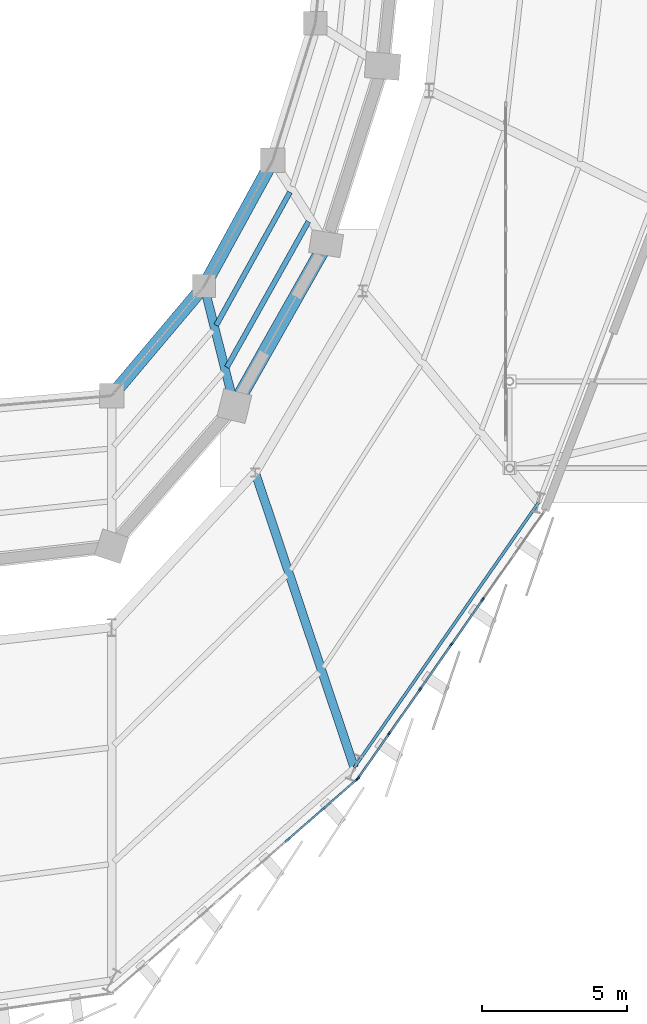
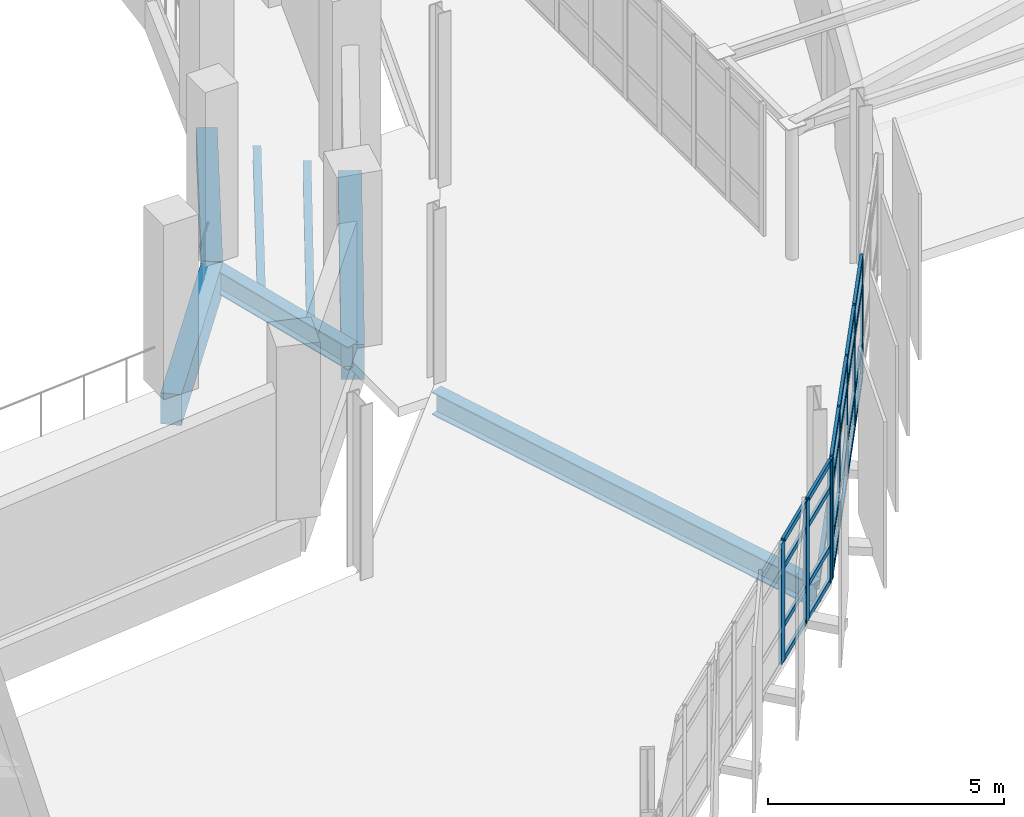
# One storey, part 66 of 125: 32 members, 8 beams, 2 elements without a shape of their own.
"""IFC4 building model written with IfcOpenShell, lengths in metres."""

from ifc_helpers import new_model, si_unit, direction, frame, origin, origin_2d, place, context, subcontext, project, spatial, rectangle, hollow_rectangle, i_section, extrude, material, layer, layer_set, material_profile, profile_set, type_object, element, aggregate, save


model = new_model("IFC4")

# Units and contexts
model_context = context("Model", 3, precision=1e-05, world=origin(), true_north=direction((0.0, 1.0)))
body_context = subcontext(model_context, "Body", "Model", "MODEL_VIEW")
ifc_project = project(units=[si_unit("LENGTHUNIT", "METRE"), si_unit("AREAUNIT", "SQUARE_METRE"), si_unit("VOLUMEUNIT", "CUBIC_METRE"), si_unit("PLANEANGLEUNIT", "RADIAN"), si_unit("MASSUNIT", "GRAM", prefix="KILO")], contexts=[model_context])

# Site, building, storey
site_placement = place(None, origin())
site = spatial("IfcSite", under=ifc_project, at=site_placement, CompositionType="ELEMENT")
building_placement = place(site_placement, origin())
building = spatial("IfcBuilding", under=site, at=building_placement, Name="Sohan Crest Arena", CompositionType="ELEMENT")
storey_placement = place(building_placement, frame((0.0, 0.0, 9.0)))
storey = spatial("IfcBuildingStorey", under=building, at=storey_placement, Name="L02", CompositionType="ELEMENT", Elevation=9.0)

# Curtain wall, members
ifc_material_1 = material(Name="Thermally broken anodised aluminium", Category="aluminium")
ifc_layer_1 = layer(ifc_material_1, 0.219970703125, Name="Thermally broken anodised aluminium")
ifc_layer_set_1 = layer_set([ifc_layer_1], Name="Thermally broken anodised aluminium")
curtain_wall_type_1 = type_object("IfcCurtainWallType", Name="ARC-CW03", PredefinedType="NOTDEFINED", material=ifc_layer_set_1)
curtain_wall_1_placement = place(storey_placement, origin())
curtain_wall_1 = element("IfcCurtainWall", 1, at=curtain_wall_1_placement, inside=storey, type_object=curtain_wall_type_1, Name="Unitised curtain wall CW-068", PredefinedType="NOTDEFINED")
ifc_material_profile_1 = material_profile(ifc_material_1, rectangle(XDim=0.06005859375, YDim=0.159912109375, at=origin_2d()), Name="ALU-MULL 60x160")
ifc_profile_set_1 = profile_set([ifc_material_profile_1], Name="Thermally broken anodised aluminium")
member_type_1 = type_object("IfcMemberType", Name="ARC-CW-ML01", PredefinedType="MULLION", material=ifc_profile_set_1)
member_1_placement = place(storey_placement, frame((176.527099609375, 47.001708984375, 0.0), z_axis=(0.0, 0.0, 1.0), x_axis=(-0.819954947639, 0.572428059971, 0.0)))
member_1 = element("IfcMember", 2, at=member_1_placement, type_object=member_type_1, Name="CW-068 mullion 1", PredefinedType="MULLION", context=body_context, shape_type="SweptSolid", body=[
    extrude(rectangle(XDim=0.06005859375, YDim=0.159912109375, at=origin_2d()), origin(), (0.0, 0.0, 1.0), 3.1201171875),
])
member_2_placement = place(storey_placement, frame((177.587646484375, 48.520751953125, 0.0), z_axis=(0.0, 0.0, 1.0), x_axis=(-0.819954947639, 0.572428059971, 0.0)))
member_2 = element("IfcMember", 3, at=member_2_placement, type_object=member_type_1, Name="CW-068 mullion 2", PredefinedType="MULLION", context=body_context, shape_type="SweptSolid", body=[
    extrude(rectangle(XDim=0.06005859375, YDim=0.159912109375, at=origin_2d()), origin(), (0.0, 0.0, 1.0), 3.1201171875),
])
member_3_placement = place(storey_placement, frame((178.665283203125, 50.064453125, 0.0), z_axis=(0.0, 0.0, 1.0), x_axis=(-0.819954947639, 0.572428059971, 0.0)))
member_3 = element("IfcMember", 4, at=member_3_placement, type_object=member_type_1, Name="CW-068 mullion 3", PredefinedType="MULLION", context=body_context, shape_type="SweptSolid", body=[
    extrude(rectangle(XDim=0.06005859375, YDim=0.159912109375, at=origin_2d()), origin(), (0.0, 0.0, 1.0), 3.1201171875),
])
member_4_placement = place(storey_placement, frame((179.742919921875, 51.60791015625, 0.0), z_axis=(0.0, 0.0, 1.0), x_axis=(-0.819954947639, 0.572428059971, 0.0)))
member_4 = element("IfcMember", 5, at=member_4_placement, type_object=member_type_1, Name="CW-068 mullion 4", PredefinedType="MULLION", context=body_context, shape_type="SweptSolid", body=[
    extrude(rectangle(XDim=0.06005859375, YDim=0.159912109375, at=origin_2d()), origin(), (0.0, 0.0, 1.0), 3.1201171875),
])
member_5_placement = place(storey_placement, frame((180.820556640625, 53.151611328125, 0.0), z_axis=(0.0, 0.0, 1.0), x_axis=(-0.819954947639, 0.572428059971, 0.0)))
member_5 = element("IfcMember", 6, at=member_5_placement, type_object=member_type_1, Name="CW-068 mullion 5", PredefinedType="MULLION", context=body_context, shape_type="SweptSolid", body=[
    extrude(rectangle(XDim=0.06005859375, YDim=0.159912109375, at=origin_2d()), origin(), (0.0, 0.0, 1.0), 3.1201171875),
])

ifc_layer_2 = layer(ifc_material_1, 0.199951171875, Name="Thermally broken anodised aluminium")
ifc_layer_set_2 = layer_set([ifc_layer_2], Name="Thermally broken anodised aluminium")
curtain_wall_type_2 = type_object("IfcCurtainWallType", Name="ARC-CW02", PredefinedType="NOTDEFINED", material=ifc_layer_set_2)
curtain_wall_2_placement = place(storey_placement, origin())
curtain_wall_2 = element("IfcCurtainWall", 7, at=curtain_wall_2_placement, inside=storey, type_object=curtain_wall_type_2, Name="Unitised curtain wall CW-067", PredefinedType="NOTDEFINED")
ifc_material_profile_2 = material_profile(ifc_material_1, rectangle(XDim=0.074951171875, YDim=0.219970703125, at=origin_2d()), Name="ALU-MULL 75x220")
ifc_profile_set_2 = profile_set([ifc_material_profile_2], Name="Thermally broken anodised aluminium")
member_type_2 = type_object("IfcMemberType", Name="ARC-CW-ML04", PredefinedType="MULLION", material=ifc_profile_set_2)
member_6_placement = place(storey_placement, frame((174.07861328125, 44.85498046875, 0.0), z_axis=(0.0, 0.0, 1.0), x_axis=(-0.657538815294, 0.753420670265, 0.0)))
member_6 = element("IfcMember", 8, at=member_6_placement, type_object=member_type_2, Name="CW-067 mullion 6", PredefinedType="MULLION", context=body_context, shape_type="SweptSolid", body=[
    extrude(rectangle(XDim=0.074951171875, YDim=0.219970703125, at=origin_2d()), origin(), (0.0, 0.0, 1.0), 3.1201171875),
])
member_7_placement = place(storey_placement, frame((175.294189453125, 45.916015625, 0.0), z_axis=(0.0, 0.0, 1.0), x_axis=(-0.657538815294, 0.753420670265, 0.0)))
member_7 = element("IfcMember", 9, at=member_7_placement, type_object=member_type_2, Name="CW-067 mullion 7", PredefinedType="MULLION", context=body_context, shape_type="SweptSolid", body=[
    extrude(rectangle(XDim=0.074951171875, YDim=0.219970703125, at=origin_2d()), origin(), (0.0, 0.0, 1.0), 3.1201171875),
])
member_8_placement = place(storey_placement, frame((176.481689453125, 46.952392578125, 0.0), z_axis=(0.0, 0.0, 1.0), x_axis=(-0.657538815294, 0.753420670265, 0.0)))
member_8 = element("IfcMember", 10, at=member_8_placement, type_object=member_type_2, Name="CW-067 mullion 8", PredefinedType="MULLION", context=body_context, shape_type="SweptSolid", body=[
    extrude(rectangle(XDim=0.074951171875, YDim=0.219970703125, at=origin_2d()), origin(), (0.0, 0.0, 1.0), 3.1201171875),
])
ifc_material_profile_3 = material_profile(ifc_material_1, rectangle(XDim=0.06494140625, YDim=0.139892578125, at=origin_2d()), Name="ALU-TRAN 65x140")
ifc_profile_set_3 = profile_set([ifc_material_profile_3], Name="Thermally broken anodised aluminium")
member_type_3 = type_object("IfcMemberType", Name="ARC-CW-TR02", PredefinedType="USERDEFINED", material=ifc_profile_set_3)
member_9_placement = place(storey_placement, frame((174.10693359375, 44.879638671875, 0.032470703125), z_axis=(0.753401788907, 0.657560449291, 0.0), x_axis=(-0.657560449291, 0.753401788907, 0.0)))
member_9 = element("IfcMember", 11, at=member_9_placement, type_object=member_type_3, Name="CW-067 transom 6.1", ObjectType="TRANSOM", PredefinedType="USERDEFINED", context=body_context, shape_type="SweptSolid", body=[
    extrude(rectangle(XDim=0.06494140625, YDim=0.139892578125, at=origin_2d()), origin(), (0.0, 0.0, 1.0), 1.53857421875),
])
member_10_placement = place(storey_placement, frame((174.10693359375, 44.879638671875, 0.89990234375), z_axis=(0.753401788907, 0.657560449291, 0.0), x_axis=(-0.657560449291, 0.753401788907, 0.0)))
member_10 = element("IfcMember", 12, at=member_10_placement, type_object=member_type_3, Name="CW-067 transom 6.2", ObjectType="TRANSOM", PredefinedType="USERDEFINED", context=body_context, shape_type="SweptSolid", body=[
    extrude(rectangle(XDim=0.06494140625, YDim=0.139892578125, at=origin_2d()), origin(), (0.0, 0.0, 1.0), 1.53857421875),
])
member_11_placement = place(storey_placement, frame((174.10693359375, 44.879638671875, 2.419921875), z_axis=(0.753401788907, 0.657560449291, 0.0), x_axis=(-0.657560449291, 0.753401788907, 0.0)))
member_11 = element("IfcMember", 13, at=member_11_placement, type_object=member_type_3, Name="CW-067 transom 6.3", ObjectType="TRANSOM", PredefinedType="USERDEFINED", context=body_context, shape_type="SweptSolid", body=[
    extrude(rectangle(XDim=0.06494140625, YDim=0.139892578125, at=origin_2d()), origin(), (0.0, 0.0, 1.0), 1.53857421875),
])
member_12_placement = place(storey_placement, frame((174.10693359375, 44.879638671875, 3.08740234375), z_axis=(0.753401788907, 0.657560449291, 0.0), x_axis=(-0.657560449291, 0.753401788907, 0.0)))
member_12 = element("IfcMember", 14, at=member_12_placement, type_object=member_type_3, Name="CW-067 transom 6.4", ObjectType="TRANSOM", PredefinedType="USERDEFINED", context=body_context, shape_type="SweptSolid", body=[
    extrude(rectangle(XDim=0.06494140625, YDim=0.139892578125, at=origin_2d()), origin(), (0.0, 0.0, 1.0), 1.53857421875),
])
member_13_placement = place(storey_placement, frame((175.322509765625, 45.940673828125, 0.032470703125), z_axis=(0.753452488749, 0.65750235528, 0.0), x_axis=(-0.65750235528, 0.753452488749, 0.0)))
member_13 = element("IfcMember", 15, at=member_13_placement, type_object=member_type_3, Name="CW-067 transom 7.1", ObjectType="TRANSOM", PredefinedType="USERDEFINED", context=body_context, shape_type="SweptSolid", body=[
    extrude(rectangle(XDim=0.06494140625, YDim=0.139892578125, at=origin_2d()), origin(), (0.0, 0.0, 1.0), 1.501220703125),
])
member_14_placement = place(storey_placement, frame((175.322509765625, 45.940673828125, 0.89990234375), z_axis=(0.753452488749, 0.65750235528, 0.0), x_axis=(-0.65750235528, 0.753452488749, 0.0)))
member_14 = element("IfcMember", 16, at=member_14_placement, type_object=member_type_3, Name="CW-067 transom 7.2", ObjectType="TRANSOM", PredefinedType="USERDEFINED", context=body_context, shape_type="SweptSolid", body=[
    extrude(rectangle(XDim=0.06494140625, YDim=0.139892578125, at=origin_2d()), origin(), (0.0, 0.0, 1.0), 1.501220703125),
])
member_15_placement = place(storey_placement, frame((175.322509765625, 45.940673828125, 2.419921875), z_axis=(0.753452488749, 0.65750235528, 0.0), x_axis=(-0.65750235528, 0.753452488749, 0.0)))
member_15 = element("IfcMember", 17, at=member_15_placement, type_object=member_type_3, Name="CW-067 transom 7.3", ObjectType="TRANSOM", PredefinedType="USERDEFINED", context=body_context, shape_type="SweptSolid", body=[
    extrude(rectangle(XDim=0.06494140625, YDim=0.139892578125, at=origin_2d()), origin(), (0.0, 0.0, 1.0), 1.501220703125),
])
member_16_placement = place(storey_placement, frame((175.322509765625, 45.940673828125, 3.08740234375), z_axis=(0.753452488749, 0.65750235528, 0.0), x_axis=(-0.65750235528, 0.753452488749, 0.0)))
member_16 = element("IfcMember", 18, at=member_16_placement, type_object=member_type_3, Name="CW-067 transom 7.4", ObjectType="TRANSOM", PredefinedType="USERDEFINED", context=body_context, shape_type="SweptSolid", body=[
    extrude(rectangle(XDim=0.06494140625, YDim=0.139892578125, at=origin_2d()), origin(), (0.0, 0.0, 1.0), 1.501220703125),
])
aggregate(curtain_wall_2, [member_6, member_7, member_8, member_9, member_10, member_11, member_12, member_13, member_14, member_15, member_16])

# Member
ifc_material_profile_4 = material_profile(ifc_material_1, rectangle(XDim=0.070068359375, YDim=0.14990234375, at=origin_2d()), Name="ALU-TRAN 70x150")
ifc_profile_set_4 = profile_set([ifc_material_profile_4], Name="Thermally broken anodised aluminium")
member_type_4 = type_object("IfcMemberType", Name="ARC-CW-TR03", PredefinedType="USERDEFINED", material=ifc_profile_set_4)
member_17_placement = place(storey_placement, frame((176.54443359375, 47.026123046875, 0.034912109375), z_axis=(0.572392470722, 0.819979792105, 0.0), x_axis=(-0.819979792105, 0.572392470722, 0.0)))
member_17 = element("IfcMember", 19, at=member_17_placement, type_object=member_type_4, Name="CW-068 transom 1.1", ObjectType="TRANSOM", PredefinedType="USERDEFINED", context=body_context, shape_type="SweptSolid", body=[
    extrude(rectangle(XDim=0.070068359375, YDim=0.14990234375, at=origin_2d()), origin(), (0.0, 0.0, 1.0), 1.792724609375),
])

member_18_placement = place(storey_placement, frame((176.54443359375, 47.026123046875, 0.89990234375), z_axis=(0.572392470722, 0.819979792105, 0.0), x_axis=(-0.819979792105, 0.572392470722, 0.0)))
member_18 = element("IfcMember", 20, at=member_18_placement, type_object=member_type_4, Name="CW-068 transom 1.2", ObjectType="TRANSOM", PredefinedType="USERDEFINED", context=body_context, shape_type="SweptSolid", body=[
    extrude(rectangle(XDim=0.070068359375, YDim=0.14990234375, at=origin_2d()), origin(), (0.0, 0.0, 1.0), 1.792724609375),
])

member_19_placement = place(storey_placement, frame((176.54443359375, 47.026123046875, 2.419921875), z_axis=(0.572392470722, 0.819979792105, 0.0), x_axis=(-0.819979792105, 0.572392470722, 0.0)))
member_19 = element("IfcMember", 21, at=member_19_placement, type_object=member_type_4, Name="CW-068 transom 1.3", ObjectType="TRANSOM", PredefinedType="USERDEFINED", context=body_context, shape_type="SweptSolid", body=[
    extrude(rectangle(XDim=0.070068359375, YDim=0.14990234375, at=origin_2d()), origin(), (0.0, 0.0, 1.0), 1.792724609375),
])

member_20_placement = place(storey_placement, frame((176.54443359375, 47.026123046875, 3.0849609375), z_axis=(0.572392470722, 0.819979792105, 0.0), x_axis=(-0.819979792105, 0.572392470722, 0.0)))
member_20 = element("IfcMember", 22, at=member_20_placement, type_object=member_type_4, Name="CW-068 transom 1.4", ObjectType="TRANSOM", PredefinedType="USERDEFINED", context=body_context, shape_type="SweptSolid", body=[
    extrude(rectangle(XDim=0.070068359375, YDim=0.14990234375, at=origin_2d()), origin(), (0.0, 0.0, 1.0), 1.792724609375),
])

member_21_placement = place(storey_placement, frame((177.604736328125, 48.545166015625, 0.034912109375), z_axis=(0.572437159997, 0.819948594642, 0.0), x_axis=(-0.819948594642, 0.572437159997, 0.0)))
member_21 = element("IfcMember", 23, at=member_21_placement, type_object=member_type_4, Name="CW-068 transom 2.1", ObjectType="TRANSOM", PredefinedType="USERDEFINED", context=body_context, shape_type="SweptSolid", body=[
    extrude(rectangle(XDim=0.070068359375, YDim=0.14990234375, at=origin_2d()), origin(), (0.0, 0.0, 1.0), 1.82275390625),
])

member_22_placement = place(storey_placement, frame((177.604736328125, 48.545166015625, 0.89990234375), z_axis=(0.572437159997, 0.819948594642, 0.0), x_axis=(-0.819948594642, 0.572437159997, 0.0)))
member_22 = element("IfcMember", 24, at=member_22_placement, type_object=member_type_4, Name="CW-068 transom 2.2", ObjectType="TRANSOM", PredefinedType="USERDEFINED", context=body_context, shape_type="SweptSolid", body=[
    extrude(rectangle(XDim=0.070068359375, YDim=0.14990234375, at=origin_2d()), origin(), (0.0, 0.0, 1.0), 1.82275390625),
])

member_23_placement = place(storey_placement, frame((177.604736328125, 48.545166015625, 2.419921875), z_axis=(0.572437159997, 0.819948594642, 0.0), x_axis=(-0.819948594642, 0.572437159997, 0.0)))
member_23 = element("IfcMember", 25, at=member_23_placement, type_object=member_type_4, Name="CW-068 transom 2.3", ObjectType="TRANSOM", PredefinedType="USERDEFINED", context=body_context, shape_type="SweptSolid", body=[
    extrude(rectangle(XDim=0.070068359375, YDim=0.14990234375, at=origin_2d()), origin(), (0.0, 0.0, 1.0), 1.82275390625),
])

member_24_placement = place(storey_placement, frame((177.604736328125, 48.545166015625, 3.0849609375), z_axis=(0.572437159997, 0.819948594642, 0.0), x_axis=(-0.819948594642, 0.572437159997, 0.0)))
member_24 = element("IfcMember", 26, at=member_24_placement, type_object=member_type_4, Name="CW-068 transom 2.4", ObjectType="TRANSOM", PredefinedType="USERDEFINED", context=body_context, shape_type="SweptSolid", body=[
    extrude(rectangle(XDim=0.070068359375, YDim=0.14990234375, at=origin_2d()), origin(), (0.0, 0.0, 1.0), 1.82275390625),
])

member_25_placement = place(storey_placement, frame((178.6826171875, 50.0888671875, 0.034912109375), z_axis=(0.572347103199, 0.820011459346, 0.0), x_axis=(-0.820011459346, 0.572347103199, 0.0)))
member_25 = element("IfcMember", 27, at=member_25_placement, type_object=member_type_4, Name="CW-068 transom 3.1", ObjectType="TRANSOM", PredefinedType="USERDEFINED", context=body_context, shape_type="SweptSolid", body=[
    extrude(rectangle(XDim=0.070068359375, YDim=0.14990234375, at=origin_2d()), origin(), (0.0, 0.0, 1.0), 1.82275390625),
])

member_26_placement = place(storey_placement, frame((178.6826171875, 50.0888671875, 0.89990234375), z_axis=(0.572347103199, 0.820011459346, 0.0), x_axis=(-0.820011459346, 0.572347103199, 0.0)))
member_26 = element("IfcMember", 28, at=member_26_placement, type_object=member_type_4, Name="CW-068 transom 3.2", ObjectType="TRANSOM", PredefinedType="USERDEFINED", context=body_context, shape_type="SweptSolid", body=[
    extrude(rectangle(XDim=0.070068359375, YDim=0.14990234375, at=origin_2d()), origin(), (0.0, 0.0, 1.0), 1.82275390625),
])

member_27_placement = place(storey_placement, frame((178.6826171875, 50.0888671875, 2.419921875), z_axis=(0.572347103199, 0.820011459346, 0.0), x_axis=(-0.820011459346, 0.572347103199, 0.0)))
member_27 = element("IfcMember", 29, at=member_27_placement, type_object=member_type_4, Name="CW-068 transom 3.3", ObjectType="TRANSOM", PredefinedType="USERDEFINED", context=body_context, shape_type="SweptSolid", body=[
    extrude(rectangle(XDim=0.070068359375, YDim=0.14990234375, at=origin_2d()), origin(), (0.0, 0.0, 1.0), 1.82275390625),
])

member_28_placement = place(storey_placement, frame((178.6826171875, 50.0888671875, 3.0849609375), z_axis=(0.572347103199, 0.820011459346, 0.0), x_axis=(-0.820011459346, 0.572347103199, 0.0)))
member_28 = element("IfcMember", 30, at=member_28_placement, type_object=member_type_4, Name="CW-068 transom 3.4", ObjectType="TRANSOM", PredefinedType="USERDEFINED", context=body_context, shape_type="SweptSolid", body=[
    extrude(rectangle(XDim=0.070068359375, YDim=0.14990234375, at=origin_2d()), origin(), (0.0, 0.0, 1.0), 1.82275390625),
])

member_29_placement = place(storey_placement, frame((179.76025390625, 51.632568359375, 0.034912109375), z_axis=(0.572409973001, 0.819967574243, 0.0), x_axis=(-0.819967574243, 0.572409973001, 0.0)))
member_29 = element("IfcMember", 31, at=member_29_placement, type_object=member_type_4, Name="CW-068 transom 4.1", ObjectType="TRANSOM", PredefinedType="USERDEFINED", context=body_context, shape_type="SweptSolid", body=[
    extrude(rectangle(XDim=0.070068359375, YDim=0.14990234375, at=origin_2d()), origin(), (0.0, 0.0, 1.0), 1.822509765625),
])

member_30_placement = place(storey_placement, frame((179.76025390625, 51.632568359375, 0.89990234375), z_axis=(0.572409973001, 0.819967574243, 0.0), x_axis=(-0.819967574243, 0.572409973001, 0.0)))
member_30 = element("IfcMember", 32, at=member_30_placement, type_object=member_type_4, Name="CW-068 transom 4.2", ObjectType="TRANSOM", PredefinedType="USERDEFINED", context=body_context, shape_type="SweptSolid", body=[
    extrude(rectangle(XDim=0.070068359375, YDim=0.14990234375, at=origin_2d()), origin(), (0.0, 0.0, 1.0), 1.822509765625),
])

member_31_placement = place(storey_placement, frame((179.76025390625, 51.632568359375, 2.419921875), z_axis=(0.572409973001, 0.819967574243, 0.0), x_axis=(-0.819967574243, 0.572409973001, 0.0)))
member_31 = element("IfcMember", 33, at=member_31_placement, type_object=member_type_4, Name="CW-068 transom 4.3", ObjectType="TRANSOM", PredefinedType="USERDEFINED", context=body_context, shape_type="SweptSolid", body=[
    extrude(rectangle(XDim=0.070068359375, YDim=0.14990234375, at=origin_2d()), origin(), (0.0, 0.0, 1.0), 1.822509765625),
])

member_32_placement = place(storey_placement, frame((179.76025390625, 51.632568359375, 3.0849609375), z_axis=(0.572409973001, 0.819967574243, 0.0), x_axis=(-0.819967574243, 0.572409973001, 0.0)))
member_32 = element("IfcMember", 34, at=member_32_placement, type_object=member_type_4, Name="CW-068 transom 4.4", ObjectType="TRANSOM", PredefinedType="USERDEFINED", context=body_context, shape_type="SweptSolid", body=[
    extrude(rectangle(XDim=0.070068359375, YDim=0.14990234375, at=origin_2d()), origin(), (0.0, 0.0, 1.0), 1.822509765625),
])

aggregate(curtain_wall_1, [member_1, member_2, member_3, member_4, member_5, member_17, member_18, member_19, member_20, member_21, member_22, member_23, member_24, member_25, member_26, member_27, member_28, member_29, member_30, member_31, member_32])

# Beams
ifc_material_2 = material(Name="Steel S355", Category="steel")
ifc_material_profile_5 = material_profile(ifc_material_2, i_section(OverallWidth=0.179931640625, OverallDepth=0.39990234375, WebThickness=0.008544921875, FlangeThickness=0.013427734375, at=origin_2d()), Name="IPE 400")
ifc_profile_set_5 = profile_set([ifc_material_profile_5], Name="Steel S355")
beam_type_1 = type_object("IfcBeamType", Name="STR-BM-B03", PredefinedType="JOIST", material=ifc_profile_set_5)
beam_1_placement = place(storey_placement, frame((171.614013671875, 62.634033203125, -0.449951171875), z_axis=(0.484550137215, 0.874763490622, 0.0), x_axis=(-0.874763490622, 0.484550137215, 0.0)))
element("IfcBeam", 35, at=beam_1_placement, inside=storey, type_object=beam_type_1, Name="Structural beam J-L02-0512", PredefinedType="JOIST", context=body_context, shape_type="SweptSolid", body=[
    extrude(i_section(OverallWidth=0.179931640625, OverallDepth=0.39990234375, WebThickness=0.008544921875, FlangeThickness=0.013427734375, at=origin_2d()), origin(), (0.0, 0.0, 1.0), 5.256103515625),
])
beam_2_placement = place(storey_placement, frame((171.98193359375, 61.18505859375, -0.449951171875), z_axis=(0.488712798321, 0.872444726477, 0.0), x_axis=(-0.872444726477, 0.488712798321, 0.0)))
element("IfcBeam", 36, at=beam_2_placement, inside=storey, type_object=beam_type_1, Name="Structural beam J-L02-0513", PredefinedType="JOIST", context=body_context, shape_type="SweptSolid", body=[
    extrude(i_section(OverallWidth=0.179931640625, OverallDepth=0.39990234375, WebThickness=0.008544921875, FlangeThickness=0.013427734375, at=origin_2d()), origin(), (0.0, 0.0, 1.0), 5.7744140625),
])
ifc_material_profile_6 = material_profile(ifc_material_2, i_section(OverallWidth=0.300048828125, OverallDepth=0.590087890625, WebThickness=0.012939453125, FlangeThickness=0.02490234375, at=origin_2d()), Name="HEA 600")
ifc_profile_set_6 = profile_set([ifc_material_profile_6], Name="Steel S355")
beam_type_2 = type_object("IfcBeamType", Name="STR-BM-B11", PredefinedType="BEAM", material=ifc_profile_set_6)
beam_3_placement = place(storey_placement, frame((171.194091796875, 63.988037109375, -0.544921875), z_axis=(0.245465367753, -0.969405360638, 0.0), x_axis=(0.969405360638, 0.245465367753, 0.0)))
element("IfcBeam", 37, at=beam_3_placement, inside=storey, type_object=beam_type_2, Name="Structural beam G-L02-0511", PredefinedType="BEAM", context=body_context, shape_type="SweptSolid", body=[
    extrude(i_section(OverallWidth=0.300048828125, OverallDepth=0.590087890625, WebThickness=0.012939453125, FlangeThickness=0.02490234375, at=origin_2d()), origin(), (0.0, 0.0, 1.0), 4.272705078125),
])
beam_4_placement = place(storey_placement, frame((172.9609375, 57.547119140625, -0.544921875), z_axis=(0.318297981778, -0.947990714509, 0.0), x_axis=(0.947990714509, 0.318297981778, 0.0)))
element("IfcBeam", 38, at=beam_4_placement, inside=storey, type_object=beam_type_2, Name="Structural beam G-L02-1331", PredefinedType="BEAM", context=body_context, shape_type="SweptSolid", body=[
    extrude(i_section(OverallWidth=0.300048828125, OverallDepth=0.590087890625, WebThickness=0.012939453125, FlangeThickness=0.02490234375, at=origin_2d()), origin(), (0.0, 0.0, 1.0), 10.751220703125),
])
ifc_material_profile_7 = material_profile(ifc_material_2, hollow_rectangle(XDim=0.10009765625, YDim=0.199951171875, WallThickness=0.008056640625, at=origin_2d()), Name="RHS 200x100x8")
ifc_profile_set_7 = profile_set([ifc_material_profile_7], Name="Steel S355")
beam_type_3 = type_object("IfcBeamType", Name="STR-BM-SP01", PredefinedType="SPANDREL", material=ifc_profile_set_7)
beam_5_placement = place(storey_placement, frame((176.383056640625, 47.35498046875, -0.35009765625), z_axis=(0.570857282329, 0.8210493062, 0.0), x_axis=(-0.8210493062, 0.570857282329, 0.0)))
element("IfcBeam", 39, at=beam_5_placement, inside=storey, type_object=beam_type_3, Name="Structural beam SP-L02-1333", PredefinedType="SPANDREL", context=body_context, shape_type="SweptSolid", body=[
    extrude(hollow_rectangle(XDim=0.10009765625, YDim=0.199951171875, WallThickness=0.008056640625, at=origin_2d()), origin(), (0.0, 0.0, 1.0), 11.151611328125),
])
ifc_material_3 = material(Name="Concrete C40/50", Category="concrete")
ifc_material_profile_8 = material_profile(ifc_material_3, rectangle(XDim=0.449951171875, YDim=0.800048828125, at=origin_2d()), Name="RC-BM 450x800")
ifc_profile_set_8 = profile_set([ifc_material_profile_8], Name="Concrete C40/50")
beam_type_4 = type_object("IfcBeamType", Name="STR-BM-TB02", PredefinedType="BEAM", material=ifc_profile_set_8)
beam_6_placement = place(storey_placement, frame((168.0, 60.199951171875, -0.64990234375), z_axis=(0.644622663131, 0.764500897435, 0.0), x_axis=(-0.764500897435, 0.644622663131, 0.0)))
element("IfcBeam", 40, at=beam_6_placement, inside=storey, type_object=beam_type_4, Name="Structural beam TB-L02-0487", PredefinedType="BEAM", context=body_context, shape_type="SweptSolid", body=[
    extrude(rectangle(XDim=0.449951171875, YDim=0.800048828125, at=origin_2d()), origin(), (0.0, 0.0, 1.0), 4.955078125),
])
beam_7_placement = place(storey_placement, frame((171.194091796875, 63.988037109375, -0.64990234375), z_axis=(0.479687297687, 0.877439511555, 0.0), x_axis=(-0.877439511555, 0.479687297687, 0.0)))
element("IfcBeam", 41, at=beam_7_placement, inside=storey, type_object=beam_type_4, Name="Structural beam TB-L02-0509", PredefinedType="BEAM", context=body_context, shape_type="SweptSolid", body=[
    extrude(rectangle(XDim=0.449951171875, YDim=0.800048828125, at=origin_2d()), origin(), (0.0, 0.0, 1.0), 4.955322265625),
])
ifc_material_profile_9 = material_profile(ifc_material_3, rectangle(XDim=0.5, YDim=0.89990234375, at=origin_2d()), Name="RC-BM 500x900")
ifc_profile_set_9 = profile_set([ifc_material_profile_9], Name="Concrete C40/50")
beam_type_5 = type_object("IfcBeamType", Name="STR-BM-TB03", PredefinedType="BEAM", material=ifc_profile_set_9)
beam_8_placement = place(storey_placement, frame((172.242919921875, 59.845947265625, -0.699951171875), z_axis=(0.491543833039, 0.870852834985, 0.0), x_axis=(-0.870852834985, 0.491543833039, 0.0)))
element("IfcBeam", 42, at=beam_8_placement, inside=storey, type_object=beam_type_5, Name="Structural beam TB-L02-0510", PredefinedType="BEAM", context=body_context, shape_type="SweptSolid", body=[
    extrude(rectangle(XDim=0.5, YDim=0.89990234375, at=origin_2d()), origin(), (0.0, 0.0, 1.0), 6.44091796875),
])

save(model, "model.ifc")
